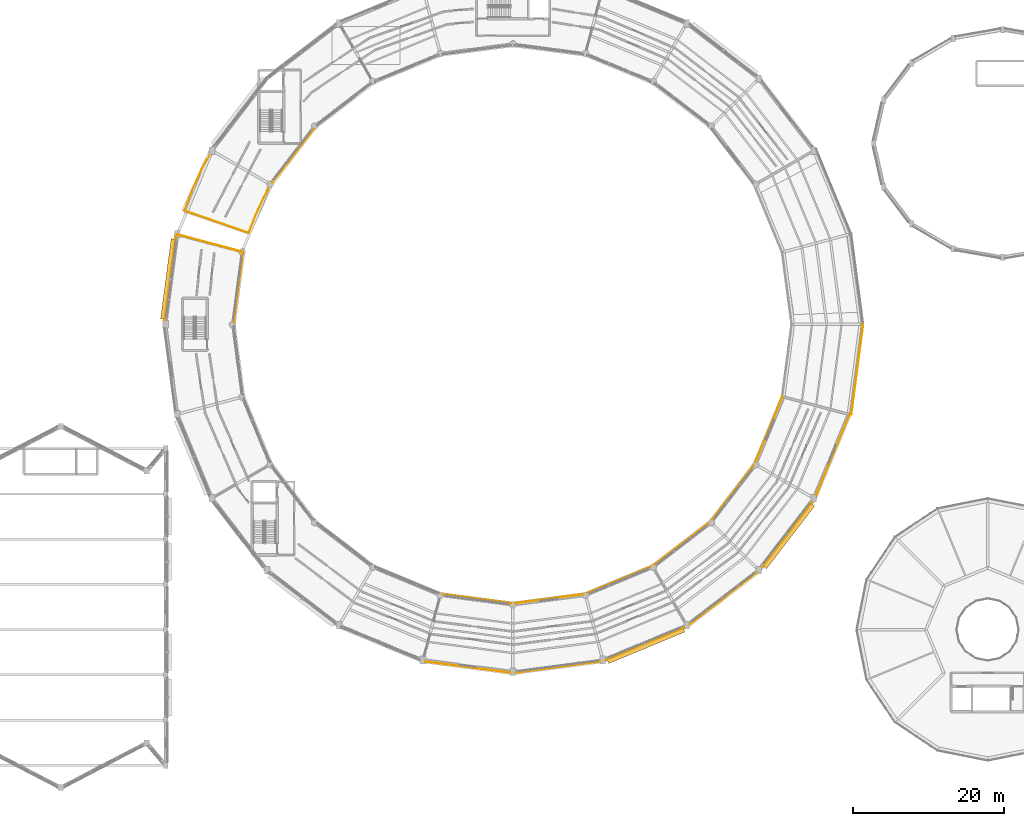
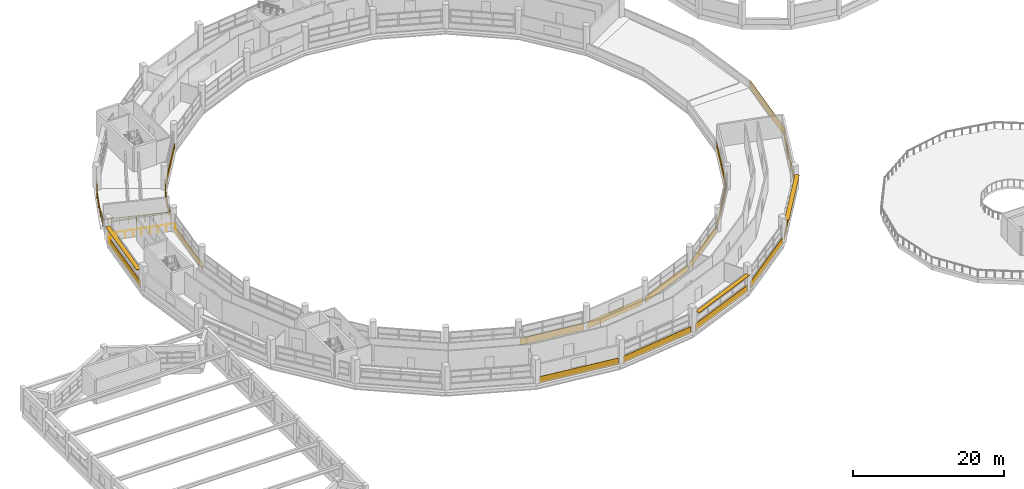
# One storey, part 103 of 108: 16 coverings, 3 shading devices, 2 railings.
"""IFC4 building model written with IfcOpenShell, lengths in metres."""

import ifcopenshell
import ifcopenshell.guid

model = None  # the IFC model being written
_history = None  # IfcOwnerHistory: only IFC2X3 demands one
_inside = {}  # id of a spatial element -> (the spatial element, [elements in it])
_under = {}  # id of a project, library or spatial element -> (it, [spatial elements below it])
_declared = {}  # id of a project -> (the project, [libraries it declares])
_typed = {}  # id of a type object -> (the type object, [elements of that type])
_made_of = {}  # id of a material, layer set ... -> (it, [elements and type objects made of it])


def new_model(schema):
    """Start an empty IFC model of exactly this schema.

    Asked for "IFC4X3", IfcOpenShell would pick the latest addendum, in which some entities
    have other attributes; the version numbers below select the first issue.
    IFC2X3 requires an IfcOwnerHistory on every rooted entity: one is made here for all.
    """
    global model, _history
    if schema == "IFC4X3":
        model = ifcopenshell.file(schema_version=(4, 3, 0, 0))
    else:
        model = ifcopenshell.file(schema=schema)
    _inside.clear()
    _under.clear()
    _declared.clear()
    _typed.clear()
    _made_of.clear()
    _history = None
    if model.schema == "IFC2X3":
        org = make("IfcOrganization", Name="unknown")
        user = make(
            "IfcPersonAndOrganization",
            ThePerson=make("IfcPerson", FamilyName="unknown"),
            TheOrganization=org,
        )
        app = make(
            "IfcApplication",
            ApplicationDeveloper=org,
            Version="unknown",
            ApplicationFullName="unknown",
            ApplicationIdentifier="unknown",
        )
        _history = make(
            "IfcOwnerHistory",
            OwningUser=user,
            OwningApplication=app,
            ChangeAction="ADDED",
            CreationDate=0,
        )
    return model


def make(cls, **values):
    """One entity of the class cls with the attributes given. An attribute that is None is left unset."""
    return model.create_entity(
        cls, **{name: value for name, value in values.items() if value is not None}
    )


def rooted(cls, **values):
    """An entity with a GlobalId (a new one), such as an element, a storey or a relation."""
    return make(cls, GlobalId=ifcopenshell.guid.new(), OwnerHistory=_history, **values)


def si_unit(unit_type, name, prefix=None):
    """IfcSIUnit, for example si_unit("LENGTHUNIT", "METRE", prefix="MILLI")."""
    return make("IfcSIUnit", UnitType=unit_type, Prefix=prefix, Name=name)


def assignment(units):
    """IfcUnitAssignment: the units of a project."""
    return None if units is None else make("IfcUnitAssignment", Units=units)


def point(xyz):
    """IfcCartesianPoint."""
    return None if xyz is None else make("IfcCartesianPoint", Coordinates=xyz)


def direction(xyz):
    """IfcDirection."""
    return None if xyz is None else make("IfcDirection", DirectionRatios=xyz)


def frame(location, z_axis=None, x_axis=None):
    """IfcAxis2Placement3D, a coordinate frame: its origin and axes. An axis left out is left unset."""
    return make(
        "IfcAxis2Placement3D",
        Location=point(location),
        Axis=direction(z_axis),
        RefDirection=direction(x_axis),
    )


def frame_2d(location, x_axis=None):
    """IfcAxis2Placement2D, a coordinate frame in the plane: its origin and x axis."""
    return make(
        "IfcAxis2Placement2D", Location=point(location), RefDirection=direction(x_axis)
    )


def origin():
    """The frame at (0, 0, 0) with its axes left unset."""
    return frame((0.0, 0.0, 0.0))


def origin_2d():
    """The frame at (0, 0) in the plane with its x axis left unset."""
    return frame_2d((0.0, 0.0))


def place(relative_to, where):
    """IfcLocalPlacement: puts the frame where relative to a parent placement (None: the world)."""
    return make(
        "IfcLocalPlacement", PlacementRelTo=relative_to, RelativePlacement=where
    )


def context(
    kind, dimensions, precision=None, world=None, true_north=None, identifier=None
):
    """IfcGeometricRepresentationContext, for example the 3D "Model" context."""
    return make(
        "IfcGeometricRepresentationContext",
        ContextIdentifier=identifier,
        ContextType=kind,
        CoordinateSpaceDimension=dimensions,
        Precision=precision,
        WorldCoordinateSystem=world,
        TrueNorth=true_north,
    )


def subcontext(parent, identifier, kind, view, scale=None):
    """IfcGeometricRepresentationSubContext, for example "Body" below "Model"."""
    return make(
        "IfcGeometricRepresentationSubContext",
        ContextIdentifier=identifier,
        ContextType=kind,
        ParentContext=parent,
        TargetScale=scale,
        TargetView=view,
    )


def project(units=None, contexts=None):
    """IfcProject with its units and contexts."""
    return rooted(
        "IfcProject",
        Name="project",
        RepresentationContexts=contexts,
        UnitsInContext=assignment(units),
    )


def spatial(cls, under=None, at=None, **own):
    """A site, building, storey or space (cls), placed at a placement, below another one or the project."""
    s = rooted(cls, ObjectPlacement=at, **own)
    if under is not None:
        _under.setdefault(under.id(), (under, []))[1].append(s)
    return s


def profile(cls, at=None, kind="AREA", **sizes):
    """A parametric profile (cls). Its sizes go by their IFC names, for example OverallWidth=200.0."""
    return make(cls, ProfileType=kind, Position=at, **sizes)


def rectangle(**sizes):
    """IfcRectangleProfileDef."""
    return profile("IfcRectangleProfileDef", **sizes)


def circle(**sizes):
    """IfcCircleProfileDef."""
    return profile("IfcCircleProfileDef", **sizes)


def extrude(swept, where, along, depth):
    """IfcExtrudedAreaSolid: the profile swept, set in the frame where, extruded along a direction by depth."""
    return make(
        "IfcExtrudedAreaSolid",
        SweptArea=swept,
        Position=where,
        ExtrudedDirection=direction(along),
        Depth=depth,
    )


def shape(context_of_items, identifier, shape_type, items):
    """IfcShapeRepresentation: the items that make up one representation, for example the "Body"."""
    return make(
        "IfcShapeRepresentation",
        ContextOfItems=context_of_items,
        RepresentationIdentifier=identifier,
        RepresentationType=shape_type,
        Items=items,
    )


def material(Name=None, Category=None):
    """IfcMaterial."""
    return make("IfcMaterial", Name=Name, Category=Category)


def layer(
    of_material, thickness, ventilated=None, Name=None, Category=None, Priority=None
):
    """IfcMaterialLayer: one layer of a wall or slab, of a material (None: an air gap)."""
    return make(
        "IfcMaterialLayer",
        Material=of_material,
        LayerThickness=thickness,
        IsVentilated=ventilated,
        Name=Name,
        Category=Category,
        Priority=Priority,
    )


def layer_set(layers, Name=None):
    """IfcMaterialLayerSet."""
    return make("IfcMaterialLayerSet", MaterialLayers=layers, LayerSetName=Name)


def made_of(thing, what):
    """Note that an element or type object is made of a material, layer set ...; save() writes the relation."""
    if what is not None:
        _made_of.setdefault(what.id(), (what, []))[1].append(thing)
    return thing


def type_object(cls, material=None, **own):
    """A type object (cls), such as IfcWallType, which elements share."""
    return made_of(rooted(cls, **own), material)


def element(
    cls,
    number,
    at=None,
    inside=None,
    cuts=None,
    type_object=None,
    material=None,
    context=None,
    identifier="Body",
    shape_type=None,
    held_by="IfcProductDefinitionShape",
    body=None,
    shapes=None,
    **own,
):
    """One element of the class cls, such as IfcWall. Its Tag is "e" and its number.

    at: its placement. inside: the storey or other place that contains it. cuts: it is an
    opening in that element (IfcRelVoidsElement). A single representation is given by context,
    identifier, shape_type and body (its items); several are given by shapes. held_by: the class
    of the entity that holds the representations. save() writes the other relations.
    """
    e = rooted(cls, Tag="e%d" % number, ObjectPlacement=at, **own)
    if body is not None:
        shapes = [shape(context, identifier, shape_type, body)]
    if shapes is not None:
        e.Representation = make(held_by, Representations=shapes)
    if inside is not None:
        _inside.setdefault(inside.id(), (inside, []))[1].append(e)
    if cuts is not None:
        rooted(
            "IfcRelVoidsElement", RelatingBuildingElement=cuts, RelatedOpeningElement=e
        )
    if type_object is not None:
        _typed.setdefault(type_object.id(), (type_object, []))[1].append(e)
    return made_of(e, material)


def aggregate(whole, parts):
    """IfcRelAggregates: a whole, such as a stair, and the parts it consists of."""
    return rooted("IfcRelAggregates", RelatingObject=whole, RelatedObjects=parts)


def save(model, path):
    """Write the relations noted so far, then the file.

    IfcRelAggregates (storeys below a building ...), IfcRelContainedInSpatialStructure (elements
    in a storey), IfcRelDefinesByType, IfcRelAssociatesMaterial and IfcRelDeclares: one each for
    every whole, place, type object, material and project.
    """
    for whole, parts in _under.values():
        aggregate(whole, parts)
    for where, things in _inside.values():
        rooted(
            "IfcRelContainedInSpatialStructure",
            RelatedElements=things,
            RelatingStructure=where,
        )
    for kind, things in _typed.values():
        rooted("IfcRelDefinesByType", RelatedObjects=things, RelatingType=kind)
    for what, things in _made_of.values():
        rooted("IfcRelAssociatesMaterial", RelatedObjects=things, RelatingMaterial=what)
    for by, libraries in _declared.values():
        rooted("IfcRelDeclares", RelatingContext=by, RelatedDefinitions=libraries)
    model.write(path)


model = new_model("IFC4")

# Units and contexts
model_context = context("Model", 3, precision=1e-05, world=origin(), true_north=direction((0.0, 1.0)))
body_context = subcontext(model_context, "Body", "Model", "MODEL_VIEW")
ifc_project = project(units=[si_unit("LENGTHUNIT", "METRE"), si_unit("AREAUNIT", "SQUARE_METRE"), si_unit("VOLUMEUNIT", "CUBIC_METRE"), si_unit("PLANEANGLEUNIT", "RADIAN"), si_unit("MASSUNIT", "GRAM", prefix="KILO")], contexts=[model_context])

# Site, building, storey
site_placement = place(None, origin())
site = spatial("IfcSite", under=ifc_project, at=site_placement, CompositionType="ELEMENT")
building_placement = place(site_placement, origin())
building = spatial("IfcBuilding", under=site, at=building_placement, Name="Vespera Passage Community Centre", CompositionType="ELEMENT")
storey_placement = place(building_placement, frame((0.0, 0.0, 12.60009765625)))
storey = spatial("IfcBuildingStorey", under=building, at=storey_placement, Name="L03", CompositionType="ELEMENT", Elevation=12.60009765625)

# Coverings
ifc_material_1 = material(Name="Precast concrete f'c 40 MPa", Category="concrete")
ifc_layer = layer(ifc_material_1, 0.06005859375)
ifc_layer_set = layer_set([ifc_layer], Name="Precast concrete f'c 40 MPa")
covering_type = type_object("IfcCoveringType", Name="COV-CLAD-60E", PredefinedType="CLADDING", material=ifc_layer_set)
covering_1_placement = place(storey_placement, frame((51.603515625, 91.4296875, -0.280029296875), z_axis=(0.0, 0.0, 1.0), x_axis=(-0.608765610033, -0.793350132061, 0.0)))
element("IfcCovering", 1, at=covering_1_placement, inside=storey, type_object=covering_type, Name="V4 L03 Inner Court White Spandrel Band I9", PredefinedType="CLADDING", context=body_context, shape_type="SweptSolid", body=[
    extrude(rectangle(XDim=9.004638671875, YDim=0.06005859375, at=frame_2d((4.50244140625, 0.0))), origin(), (0.0, 0.0, 1.0), 1.099853515625),
])
covering_2_placement = place(storey_placement, frame((31.794189453125, 65.997314453125, -0.280029296875), z_axis=(0.0, 0.0, 1.0), x_axis=(0.130513242145, 0.991446566197, 0.0)))
element("IfcCovering", 2, at=covering_2_placement, inside=storey, type_object=covering_type, Name="V4 L03 Outer White Spandrel Band O11", PredefinedType="CLADDING", context=body_context, shape_type="SweptSolid", body=[
    extrude(rectangle(XDim=11.075927734375, YDim=0.06005859375, at=frame_2d((5.5380859375, 0.0))), origin(), (0.0, 0.0, 1.0), 1.099853515625),
])
covering_3_placement = place(storey_placement, frame((42.18505859375, 74.832763671875, -0.280029296875), z_axis=(0.0, 0.0, 1.0), x_axis=(-0.13052003772, -0.99144567161, 0.0)))
element("IfcCovering", 3, at=covering_3_placement, inside=storey, type_object=covering_type, Name="V4 L03 Inner Court White Spandrel Band I11", PredefinedType="CLADDING", context=body_context, shape_type="SweptSolid", body=[
    extrude(rectangle(XDim=9.15625, YDim=0.06005859375, at=frame_2d((4.578125, 0.0))), origin(), (0.0, 0.0, 1.0), 1.099853515625),
])
covering_4_placement = place(storey_placement, frame((77.627685546875, 19.277587890625, -0.280029296875), z_axis=(0.0, 0.0, 1.0), x_axis=(-0.991446004399, 0.130517509785, 0.0)))
element("IfcCovering", 4, at=covering_4_placement, inside=storey, type_object=covering_type, Name="V4 L03 Outer White Sill Band O17", PredefinedType="CLADDING", context=body_context, shape_type="SweptSolid", body=[
    extrude(rectangle(XDim=11.328125, YDim=0.06005859375, at=frame_2d((5.6640625, 0.0))), origin(), (0.0, 0.0, 1.0), 1.099853515625),
])
covering_5_placement = place(storey_placement, frame((68.667236328125, 29.68505859375, -0.280029296875), z_axis=(0.0, 0.0, 1.0), x_axis=(0.99144567161, -0.13052003772, 0.0)))
element("IfcCovering", 5, at=covering_5_placement, inside=storey, type_object=covering_type, Name="V4 L03 Inner Court White Spandrel Band I17", PredefinedType="CLADDING", context=body_context, shape_type="SweptSolid", body=[
    extrude(rectangle(XDim=9.15625, YDim=0.06005859375, at=frame_2d((4.578125, 0.0))), origin(), (0.0, 0.0, 1.0), 1.099853515625),
])
covering_6_placement = place(storey_placement, frame((89.603515625, 20.756103515625, -0.280029296875), z_axis=(0.0, 0.0, 1.0), x_axis=(-0.991446004399, -0.130517509785, 0.0)))
element("IfcCovering", 6, at=covering_6_placement, inside=storey, type_object=covering_type, Name="V4 L03 Outer White Spandrel Band O18", PredefinedType="CLADDING", context=body_context, shape_type="SweptSolid", body=[
    extrude(rectangle(XDim=11.328125, YDim=0.06005859375, at=frame_2d((5.6640625, 0.0))), origin(), (0.0, 0.0, 1.0), 1.099853515625),
])
covering_7_placement = place(storey_placement, frame((78.2548828125, 28.489990234375, -0.280029296875), z_axis=(0.0, 0.0, 1.0), x_axis=(0.99144567161, 0.13052003772, 0.0)))
element("IfcCovering", 7, at=covering_7_placement, inside=storey, type_object=covering_type, Name="V4 L03 Court White Sill Band I18", PredefinedType="CLADDING", context=body_context, shape_type="SweptSolid", body=[
    extrude(rectangle(XDim=9.15625, YDim=0.06005859375, at=frame_2d((4.578125, 0.0))), origin(), (0.0, 0.0, 1.0), 1.099853515625),
])
covering_8_placement = place(storey_placement, frame((100.76318359375, 25.273193359375, -0.280029296875), z_axis=(0.0, 0.0, 1.0), x_axis=(-0.923883530636, -0.382673779896, 0.0)))
element("IfcCovering", 8, at=covering_8_placement, inside=storey, type_object=covering_type, Name="V4 L03 Outer White Spandrel Band O19", PredefinedType="CLADDING", context=body_context, shape_type="SweptSolid", body=[
    extrude(rectangle(XDim=11.2724609375, YDim=0.06005859375, at=frame_2d((5.63623046875, 0.0))), origin(), (0.0, 0.0, 1.0), 1.099853515625),
])
covering_9_placement = place(storey_placement, frame((87.845703125, 29.825439453125, -0.280029296875), z_axis=(0.0, 0.0, 1.0), x_axis=(0.92387477551, 0.38269491658, 0.0)))
element("IfcCovering", 9, at=covering_9_placement, inside=storey, type_object=covering_type, Name="V4 L03 Inner Court White Spandrel Band I19", PredefinedType="CLADDING", context=body_context, shape_type="SweptSolid", body=[
    extrude(rectangle(XDim=9.11181640625, YDim=0.06005859375, at=frame_2d((4.555908203125, 0.0))), origin(), (0.0, 0.0, 1.0), 1.099853515625),
])
covering_10_placement = place(storey_placement, frame((110.345947265625, 32.4951171875, -0.280029296875), z_axis=(0.0, 0.0, 1.0), x_axis=(-0.793342066679, -0.608776120785, 0.0)))
element("IfcCovering", 10, at=covering_10_placement, inside=storey, type_object=covering_type, Name="V4 L03 Outer White Spandrel Band O20", PredefinedType="CLADDING", context=body_context, shape_type="SweptSolid", body=[
    extrude(rectangle(XDim=11.13916015625, YDim=0.06005859375, at=frame_2d((5.569580078125, 0.0))), origin(), (0.0, 0.0, 1.0), 1.099853515625),
])
covering_11_placement = place(storey_placement, frame((96.785888671875, 33.621826171875, -0.280029296875), z_axis=(0.0, 0.0, 1.0), x_axis=(0.793350132061, 0.608765610033, 0.0)))
element("IfcCovering", 11, at=covering_11_placement, inside=storey, type_object=covering_type, Name="V4 L03 Inner Court White Spandrel Band I20", PredefinedType="CLADDING", context=body_context, shape_type="SweptSolid", body=[
    extrude(rectangle(XDim=9.004638671875, YDim=0.06005859375, at=frame_2d((4.50244140625, 0.0))), origin(), (0.0, 0.0, 1.0), 1.099853515625),
])
covering_12_placement = place(storey_placement, frame((117.698974609375, 41.877685546875, -0.280029296875), z_axis=(0.0, 0.0, 1.0), x_axis=(-0.608767750285, -0.793348489765, 0.0)))
element("IfcCovering", 12, at=covering_12_placement, inside=storey, type_object=covering_type, Name="V4 L03 Outer White Spandrel Band O21", PredefinedType="CLADDING", context=body_context, shape_type="SweptSolid", body=[
    extrude(rectangle(XDim=10.8525390625, YDim=0.06005859375, at=frame_2d((5.42626953125, 0.0))), origin(), (0.0, 0.0, 1.0), 1.099853515625),
])
covering_13_placement = place(storey_placement, frame((104.396484375, 39.5703125, -0.280029296875), z_axis=(0.0, 0.0, 1.0), x_axis=(0.608765610033, 0.793350132061, 0.0)))
element("IfcCovering", 13, at=covering_13_placement, inside=storey, type_object=covering_type, Name="V4 L03 Inner Court White Spandrel Band I21", PredefinedType="CLADDING", context=body_context, shape_type="SweptSolid", body=[
    extrude(rectangle(XDim=9.004638671875, YDim=0.06005859375, at=frame_2d((4.50244140625, 0.0))), origin(), (0.0, 0.0, 1.0), 1.099853515625),
])
covering_14_placement = place(storey_placement, frame((122.686279296875, 53.50341796875, -0.280029296875), z_axis=(0.0, 0.0, 1.0), x_axis=(-0.382688122499, -0.92387758978, 0.0)))
element("IfcCovering", 14, at=covering_14_placement, inside=storey, type_object=covering_type, Name="V4 L03 Outer White Sill Band O22", PredefinedType="CLADDING", context=body_context, shape_type="SweptSolid", body=[
    extrude(rectangle(XDim=11.518310546875, YDim=0.06005859375, at=frame_2d((5.75927734375, 0.0))), origin(), (0.0, 0.0, 1.0), 1.099853515625),
])
covering_15_placement = place(storey_placement, frame((110.1875, 47.236083984375, -0.280029296875), z_axis=(0.0, 0.0, 1.0), x_axis=(0.382700790811, 0.923872342217, 0.0)))
element("IfcCovering", 15, at=covering_15_placement, inside=storey, type_object=covering_type, Name="V4 L03 Court White Sill Band I22", PredefinedType="CLADDING", context=body_context, shape_type="SweptSolid", body=[
    extrude(rectangle(XDim=9.41162109375, YDim=0.06005859375, at=frame_2d((4.705810546875, 0.0))), origin(), (0.0, 0.0, 1.0), 1.099853515625),
])
covering_16_placement = place(storey_placement, frame((122.899658203125, 53.48681640625, -0.239990234375), z_axis=(0.0, 0.0, 1.0), x_axis=(0.130528629367, 0.991444540514, 0.0)))
element("IfcCovering", 16, at=covering_16_placement, inside=storey, type_object=covering_type, Name="V4 L03 Step Crown White Band 2.1", PredefinedType="CLADDING", context=body_context, shape_type="SweptSolid", body=[
    extrude(rectangle(XDim=12.099609375, YDim=0.06005859375, at=frame_2d((6.0498046875, 0.0))), origin(), (0.0, 0.0, 1.0), 1.35986328125),
])

# Railings
ifc_material_2 = material(Name="Steel ASTM A500 Grade C", Category="steel")
railing_type = type_object("IfcRailingType", Name="RL-EXT-1100E", PredefinedType="GUARDRAIL", material=ifc_material_2)
railing_1_placement = place(storey_placement, frame((38.46728515625, 89.253662109375, 0.0)))
element("IfcRailing", 17, at=railing_1_placement, inside=storey, type_object=railing_type, Name="V4 L03 Daylight Slot North-West Guard", PredefinedType="GUARDRAIL", context=body_context, shape_type="SweptSolid", body=[
    extrude(circle(Radius=0.02392578125, at=origin_2d()), frame((0.0, 0.0, 1.09619140625), z_axis=(-0.485012957514, -0.874506964549, 0.0), x_axis=(0.874506964549, -0.485012957514, 0.0)), (0.0, 0.0, 1.0), 3.1923828125),
    extrude(circle(Radius=0.02392578125, at=origin_2d()), frame((-1.54833984375, -2.791748046875, 1.09619140625), z_axis=(-0.423379435966, -0.905952456369, 0.0), x_axis=(0.905952456369, -0.423379435966, 0.0)), (0.0, 0.0, 1.0), 3.1923828125),
    extrude(circle(Radius=0.02392578125, at=origin_2d()), frame((-2.89990234375, -5.683837890625, 1.09619140625), z_axis=(-0.359757937822, -0.933045672073, 0.0), x_axis=(0.933045672073, -0.359757937822, 0.0)), (0.0, 0.0, 1.0), 3.192138671875),
    extrude(circle(Radius=0.02392578125, at=origin_2d()), frame((-4.04833984375, -8.662353515625, 1.09619140625), z_axis=(0.944949142345, -0.327217234235, 0.0), x_axis=(0.327217234235, 0.944949142345, 0.0)), (0.0, 0.0, 1.0), 9.039794921875),
    extrude(circle(Radius=0.02392578125, at=origin_2d()), frame((4.493896484375, -11.620361328125, 1.09619140625), z_axis=(0.359750226931, 0.933048645153, 0.0), x_axis=(-0.933048645153, 0.359750226931, 0.0)), (0.0, 0.0, 1.0), 2.566650390625),
    extrude(circle(Radius=0.02392578125, at=origin_2d()), frame((5.417236328125, -9.2255859375, 1.09619140625), z_axis=(0.423390521264, 0.905947275786, 0.0), x_axis=(-0.905947275786, 0.423390521264, 0.0)), (0.0, 0.0, 1.0), 2.566650390625),
    extrude(circle(Radius=0.02392578125, at=origin_2d()), frame((6.50390625, -6.900390625, 1.09619140625), z_axis=(0.485117882525, 0.874448763539, 0.0), x_axis=(-0.874448763539, 0.485117882525, 0.0)), (0.0, 0.0, 1.0), 2.566650390625),
    extrude(circle(Radius=0.02099609375, at=origin_2d()), origin(), (0.0, 0.0, 1.0), 1.072021484375),
    extrude(circle(Radius=0.02099609375, at=origin_2d()), frame((-0.51611328125, -0.9306640625, 0.0)), (0.0, 0.0, 1.0), 1.072021484375),
    extrude(circle(Radius=0.02099609375, at=origin_2d()), frame((-1.0322265625, -1.861083984375, 0.0)), (0.0, 0.0, 1.0), 1.072021484375),
    extrude(circle(Radius=0.02099609375, at=origin_2d()), frame((-1.54833984375, -2.791748046875, 0.0)), (0.0, 0.0, 1.0), 1.072021484375),
    extrude(circle(Radius=0.02099609375, at=origin_2d()), frame((-1.998779296875, -3.755859375, 0.0)), (0.0, 0.0, 1.0), 1.072021484375),
    extrude(circle(Radius=0.02099609375, at=origin_2d()), frame((-2.449462890625, -4.7197265625, 0.0)), (0.0, 0.0, 1.0), 1.072021484375),
    extrude(circle(Radius=0.02099609375, at=origin_2d()), frame((-2.89990234375, -5.683837890625, 0.0)), (0.0, 0.0, 1.0), 1.072021484375),
    extrude(circle(Radius=0.02099609375, at=origin_2d()), frame((-3.28271484375, -6.6767578125, 0.0)), (0.0, 0.0, 1.0), 1.072021484375),
    extrude(circle(Radius=0.02099609375, at=origin_2d()), frame((-3.66552734375, -7.66943359375, 0.0)), (0.0, 0.0, 1.0), 1.072021484375),
    extrude(circle(Radius=0.02099609375, at=origin_2d()), frame((-4.04833984375, -8.662353515625, 0.0)), (0.0, 0.0, 1.0), 1.072021484375),
    extrude(circle(Radius=0.02099609375, at=origin_2d()), frame((-2.98046875, -9.0322265625, 0.0)), (0.0, 0.0, 1.0), 1.072021484375),
    extrude(circle(Radius=0.02099609375, at=origin_2d()), frame((-1.912841796875, -9.40185546875, 0.0)), (0.0, 0.0, 1.0), 1.072021484375),
    extrude(circle(Radius=0.02099609375, at=origin_2d()), frame((-0.844970703125, -9.771484375, 0.0)), (0.0, 0.0, 1.0), 1.072021484375),
    extrude(circle(Radius=0.02099609375, at=origin_2d()), frame((0.22265625, -10.141357421875, 0.0)), (0.0, 0.0, 1.0), 1.072021484375),
    extrude(circle(Radius=0.02099609375, at=origin_2d()), frame((1.29052734375, -10.51123046875, 0.0)), (0.0, 0.0, 1.0), 1.072021484375),
    extrude(circle(Radius=0.02099609375, at=origin_2d()), frame((2.3583984375, -10.880859375, 0.0)), (0.0, 0.0, 1.0), 1.072021484375),
    extrude(circle(Radius=0.02099609375, at=origin_2d()), frame((3.426025390625, -11.25048828125, 0.0)), (0.0, 0.0, 1.0), 1.072021484375),
    extrude(circle(Radius=0.02099609375, at=origin_2d()), frame((4.493896484375, -11.620361328125, 0.0)), (0.0, 0.0, 1.0), 1.072021484375),
    extrude(circle(Radius=0.02099609375, at=origin_2d()), frame((4.8017578125, -10.822021484375, 0.0)), (0.0, 0.0, 1.0), 1.072021484375),
    extrude(circle(Radius=0.02099609375, at=origin_2d()), frame((5.109375, -10.02392578125, 0.0)), (0.0, 0.0, 1.0), 1.072021484375),
    extrude(circle(Radius=0.02099609375, at=origin_2d()), frame((5.417236328125, -9.2255859375, 0.0)), (0.0, 0.0, 1.0), 1.072021484375),
    extrude(circle(Radius=0.02099609375, at=origin_2d()), frame((5.779541015625, -8.450439453125, 0.0)), (0.0, 0.0, 1.0), 1.072021484375),
    extrude(circle(Radius=0.02099609375, at=origin_2d()), frame((6.1416015625, -7.675537109375, 0.0)), (0.0, 0.0, 1.0), 1.072021484375),
    extrude(circle(Radius=0.02099609375, at=origin_2d()), frame((6.50390625, -6.900390625, 0.0)), (0.0, 0.0, 1.0), 1.072021484375),
    extrude(circle(Radius=0.02099609375, at=origin_2d()), frame((6.9189453125, -6.15234375, 0.0)), (0.0, 0.0, 1.0), 1.072021484375),
    extrude(circle(Radius=0.02099609375, at=origin_2d()), frame((7.333984375, -5.404052734375, 0.0)), (0.0, 0.0, 1.0), 1.072021484375),
    extrude(circle(Radius=0.02099609375, at=origin_2d()), frame((7.7490234375, -4.656005859375, 0.0)), (0.0, 0.0, 1.0), 1.072021484375),
])
railing_2_placement = place(storey_placement, frame((33.211181640625, 76.501220703125, 0.0)))
element("IfcRailing", 18, at=railing_2_placement, inside=storey, type_object=railing_type, Name="V4 L03 Daylight Slot South-West Guard", PredefinedType="GUARDRAIL", context=body_context, shape_type="SweptSolid", body=[
    extrude(circle(Radius=0.02392578125, at=origin_2d()), frame((0.0, 0.0, 1.09619140625), z_axis=(0.248715882688, 0.968576486241, 0.0), x_axis=(-0.968576486241, 0.248715882688, 0.0)), (0.0, 0.0, 1.0), 0.9658203125),
    extrude(circle(Radius=0.02392578125, at=origin_2d()), frame((0.240234375, 0.935546875, 1.09619140625), z_axis=(0.965924062542, -0.258825627405, 0.0), x_axis=(0.258825627405, 0.965924062542, 0.0)), (0.0, 0.0, 1.0), 9.040283203125),
    extrude(circle(Radius=0.02392578125, at=origin_2d()), frame((8.972412109375, -1.404296875, 1.09619140625), z_axis=(-0.248965219555, -0.96851242607, 0.0), x_axis=(0.96851242607, -0.248965219555, 0.0)), (0.0, 0.0, 1.0), 0.776611328125),
    extrude(circle(Radius=0.02099609375, at=origin_2d()), origin(), (0.0, 0.0, 1.0), 1.072021484375),
    extrude(circle(Radius=0.02099609375, at=origin_2d()), frame((0.240234375, 0.935546875, 0.0)), (0.0, 0.0, 1.0), 1.072021484375),
    extrude(circle(Radius=0.02099609375, at=origin_2d()), frame((1.331787109375, 0.64306640625, 0.0)), (0.0, 0.0, 1.0), 1.072021484375),
    extrude(circle(Radius=0.02099609375, at=origin_2d()), frame((2.42333984375, 0.3505859375, 0.0)), (0.0, 0.0, 1.0), 1.072021484375),
    extrude(circle(Radius=0.02099609375, at=origin_2d()), frame((3.514892578125, 0.05810546875, 0.0)), (0.0, 0.0, 1.0), 1.072021484375),
    extrude(circle(Radius=0.02099609375, at=origin_2d()), frame((4.6064453125, -0.234375, 0.0)), (0.0, 0.0, 1.0), 1.072021484375),
    extrude(circle(Radius=0.02099609375, at=origin_2d()), frame((5.69775390625, -0.52685546875, 0.0)), (0.0, 0.0, 1.0), 1.072021484375),
    extrude(circle(Radius=0.02099609375, at=origin_2d()), frame((6.789306640625, -0.8193359375, 0.0)), (0.0, 0.0, 1.0), 1.072021484375),
    extrude(circle(Radius=0.02099609375, at=origin_2d()), frame((7.880859375, -1.11181640625, 0.0)), (0.0, 0.0, 1.0), 1.072021484375),
    extrude(circle(Radius=0.02099609375, at=origin_2d()), frame((8.972412109375, -1.404296875, 0.0)), (0.0, 0.0, 1.0), 1.072021484375),
    extrude(circle(Radius=0.02099609375, at=origin_2d()), frame((8.779052734375, -2.156494140625, 0.0)), (0.0, 0.0, 1.0), 1.072021484375),
])

# Shading devices
ifc_material_3 = material(Name="Anodized aluminium 6063-T6", Category="aluminium")
shading_device_type = type_object("IfcShadingDeviceType", Name="SHD-EYEBROW", PredefinedType="JALOUSIE", material=ifc_material_3)
shading_device_1_placement = place(storey_placement, frame((32.249267578125, 71.523193359375, 2.70556640625), z_axis=(0.0, 0.0, 1.0), x_axis=(0.130508888223, 0.991447139335, 0.0)))
element("IfcShadingDevice", 19, at=shading_device_1_placement, inside=storey, type_object=shading_device_type, Name="V4 L03 Outer Solar Eyebrow 11", PredefinedType="JALOUSIE", context=body_context, shape_type="SweptSolid", body=[
    extrude(rectangle(XDim=10.725830078125, YDim=0.60009765625, at=origin_2d()), origin(), (0.0, 0.0, 1.0), 0.080078125),
])
shading_device_2_placement = place(storey_placement, frame((95.6591796875, 22.866943359375, 2.70556640625), z_axis=(0.0, 0.0, 1.0), x_axis=(-0.923879532511, -0.382683432365, 0.0)))
element("IfcShadingDevice", 20, at=shading_device_2_placement, inside=storey, type_object=shading_device_type, Name="V4 L03 Outer Solar Eyebrow 19", PredefinedType="JALOUSIE", context=body_context, shape_type="SweptSolid", body=[
    extrude(rectangle(XDim=10.922607421875, YDim=0.60009765625, at=origin_2d()), origin(), (0.0, 0.0, 1.0), 0.080078125),
])
shading_device_3_placement = place(storey_placement, frame((114.60986328125, 37.408203125, 2.70556640625), z_axis=(0.0, 0.0, 1.0), x_axis=(-0.608761429009, -0.793353340291, 0.0)))
element("IfcShadingDevice", 21, at=shading_device_3_placement, inside=storey, type_object=shading_device_type, Name="V4 L03 Outer Solar Eyebrow 21", PredefinedType="JALOUSIE", context=body_context, shape_type="SweptSolid", body=[
    extrude(rectangle(XDim=10.50244140625, YDim=0.60009765625, at=origin_2d()), origin(), (0.0, 0.0, 1.0), 0.080078125),
])

save(model, "model.ifc")
